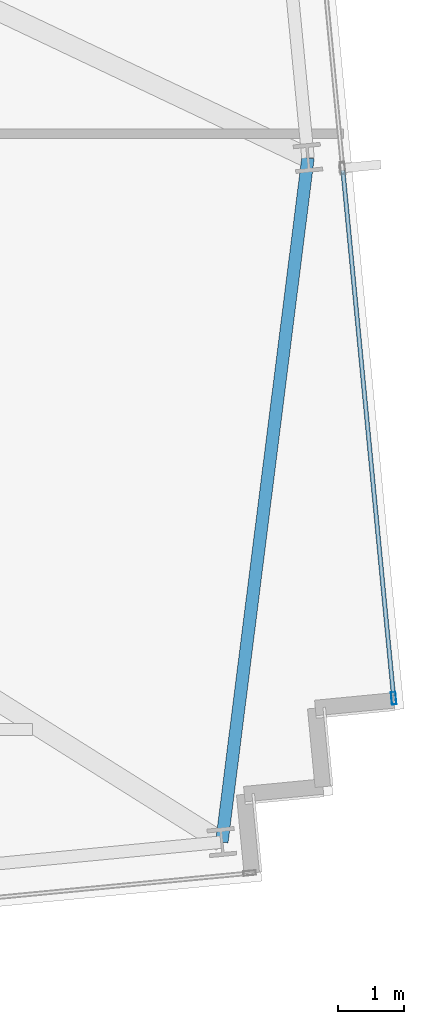
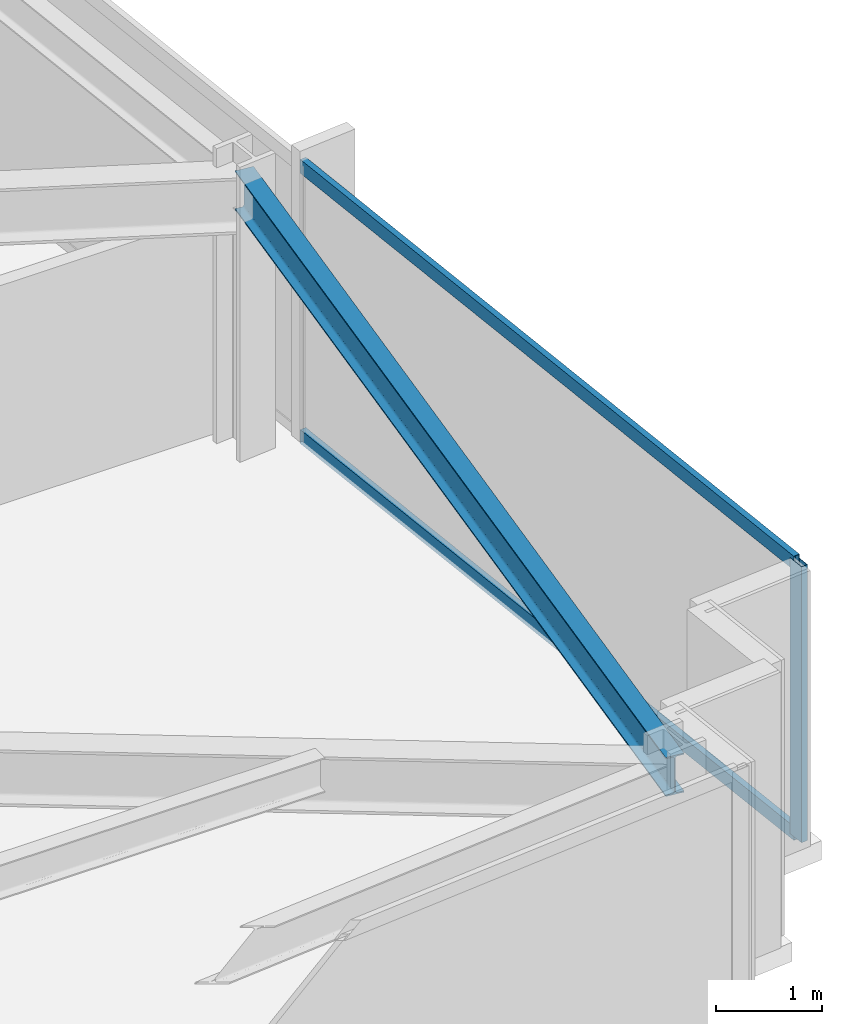
# One storey, part 14 of 32: 3 members, 1 beam, 1 element without a shape of its own.
"""IFC4 building model written with IfcOpenShell, lengths in metres."""

from ifc_helpers import new_model, si_unit, direction, frame, origin, origin_2d, place, context, subcontext, project, spatial, hollow_rectangle, i_section, extrude, material, material_profile, profile_set, type_object, element, aggregate, save


model = new_model("IFC4")

# Units and contexts
model_context = context("Model", 3, precision=1e-05, world=origin(), true_north=direction((0.0, 1.0)))
body_context = subcontext(model_context, "Body", "Model", "MODEL_VIEW")
ifc_project = project(units=[si_unit("LENGTHUNIT", "METRE"), si_unit("AREAUNIT", "SQUARE_METRE"), si_unit("VOLUMEUNIT", "CUBIC_METRE"), si_unit("PLANEANGLEUNIT", "RADIAN"), si_unit("MASSUNIT", "GRAM", prefix="KILO")], contexts=[model_context])

# Site, building, storey
site_placement = place(None, origin())
site = spatial("IfcSite", under=ifc_project, at=site_placement, CompositionType="ELEMENT")
building_placement = place(site_placement, origin())
building = spatial("IfcBuilding", under=site, at=building_placement, Name="Yelkora Congress Tower", CompositionType="ELEMENT")
storey_placement = place(building_placement, frame((0.0, 0.0, 93.10009765625)))
storey = spatial("IfcBuildingStorey", under=building, at=storey_placement, Name="L24", CompositionType="ELEMENT", Elevation=93.10009765625)

# Beam
ifc_material_1 = material(Name="Steel S355J2", Category="steel")
ifc_material_profile_1 = material_profile(ifc_material_1, i_section(OverallWidth=0.18994140625, OverallDepth=0.449951171875, WebThickness=0.009521484375, FlangeThickness=0.0146484375, FilletRadius=0.02099609375, at=origin_2d()), Name="IPE 450")
ifc_profile_set_1 = profile_set([ifc_material_profile_1], Name="Steel S355J2")
beam_type = type_object("IfcBeamType", Name="BM-SPAN-IPE450", PredefinedType="SPANDREL", material=ifc_profile_set_1)
beam_placement = place(storey_placement, frame((74.73193359375, 14.43505859375, 2.954833984375), z_axis=(0.124929198684, 0.99216565921, 0.0), x_axis=(-0.99216565921, 0.124929198684, 0.0)))
element("IfcBeam", 1, at=beam_placement, inside=storey, type_object=beam_type, Name="L24 Perimeter Beam 10", PredefinedType="SPANDREL", context=body_context, shape_type="SweptSolid", body=[
    extrude(i_section(OverallWidth=0.18994140625, OverallDepth=0.449951171875, WebThickness=0.009521484375, FlangeThickness=0.0146484375, FilletRadius=0.02099609375, at=origin_2d()), origin(), (0.0, 0.0, 1.0), 10.48046875),
])

# Curtain wall, members
ifc_material_2 = material(Name="Anodised aluminium and insulated glass", Category="aluminium")
curtain_wall_type = type_object("IfcCurtainWallType", Name="CW-SYS-B2", PredefinedType="NOTDEFINED", material=ifc_material_2)
curtain_wall_placement = place(storey_placement, origin())
curtain_wall = element("IfcCurtainWall", 2, at=curtain_wall_placement, inside=storey, type_object=curtain_wall_type, Name="L24 Unitised Curtain Wall 15", PredefinedType="NOTDEFINED")
ifc_material_3 = material(Name="Anodised aluminium 6063-T6", Category="aluminium")
ifc_material_profile_2 = material_profile(ifc_material_3, hollow_rectangle(XDim=0.070068359375, YDim=0.18994140625, WallThickness=0.00390625, at=origin_2d()), Name="ALU 70x190x4")
ifc_profile_set_2 = profile_set([ifc_material_profile_2], Name="Anodised aluminium 6063-T6")
member_type_1 = type_object("IfcMemberType", Name="MEM-ML-B2", PredefinedType="MULLION", material=ifc_profile_set_2)
member_1_placement = place(storey_placement, frame((77.34423828125, 16.62060546875, 0.0), z_axis=(0.0, 0.0, 1.0), x_axis=(0.995396507508, 0.095842541913, 0.0)))
member_1 = element("IfcMember", 3, at=member_1_placement, type_object=member_type_1, Name="CW-B2 mullion 5", PredefinedType="MULLION", context=body_context, shape_type="SweptSolid", body=[
    extrude(hollow_rectangle(XDim=0.070068359375, YDim=0.18994140625, WallThickness=0.00390625, at=origin_2d()), origin(), (0.0, 0.0, 1.0), 3.179931640625),
])
ifc_material_profile_3 = material_profile(ifc_material_3, hollow_rectangle(XDim=0.06494140625, YDim=0.159912109375, WallThickness=0.00390625, at=origin_2d()), Name="ALU 65x160x4")
ifc_profile_set_3 = profile_set([ifc_material_profile_3], Name="Anodised aluminium 6063-T6")
member_type_2 = type_object("IfcMemberType", Name="MEM-TR-B2", PredefinedType="USERDEFINED", material=ifc_profile_set_3)
member_2_placement = place(storey_placement, frame((76.57177734375, 24.6435546875, 0.032470703125), z_axis=(0.095858482834, -0.995394972495, 0.0), x_axis=(0.995394972495, 0.095858482834, 0.0)))
member_2 = element("IfcMember", 4, at=member_2_placement, type_object=member_type_2, Name="CW-B2 transom 4.1", ObjectType="TRANSOM", PredefinedType="USERDEFINED", context=body_context, shape_type="SweptSolid", body=[
    extrude(hollow_rectangle(XDim=0.06494140625, YDim=0.159912109375, WallThickness=0.00390625, at=origin_2d()), origin(), (0.0, 0.0, 1.0), 8.025146484375),
])
member_3_placement = place(storey_placement, frame((76.57177734375, 24.6435546875, 3.1474609375), z_axis=(0.095858482834, -0.995394972495, 0.0), x_axis=(0.995394972495, 0.095858482834, 0.0)))
member_3 = element("IfcMember", 5, at=member_3_placement, type_object=member_type_2, Name="CW-B2 transom 4.2", ObjectType="TRANSOM", PredefinedType="USERDEFINED", context=body_context, shape_type="SweptSolid", body=[
    extrude(hollow_rectangle(XDim=0.06494140625, YDim=0.159912109375, WallThickness=0.00390625, at=origin_2d()), origin(), (0.0, 0.0, 1.0), 8.025146484375),
])
aggregate(curtain_wall, [member_1, member_2, member_3])

save(model, "model.ifc")
